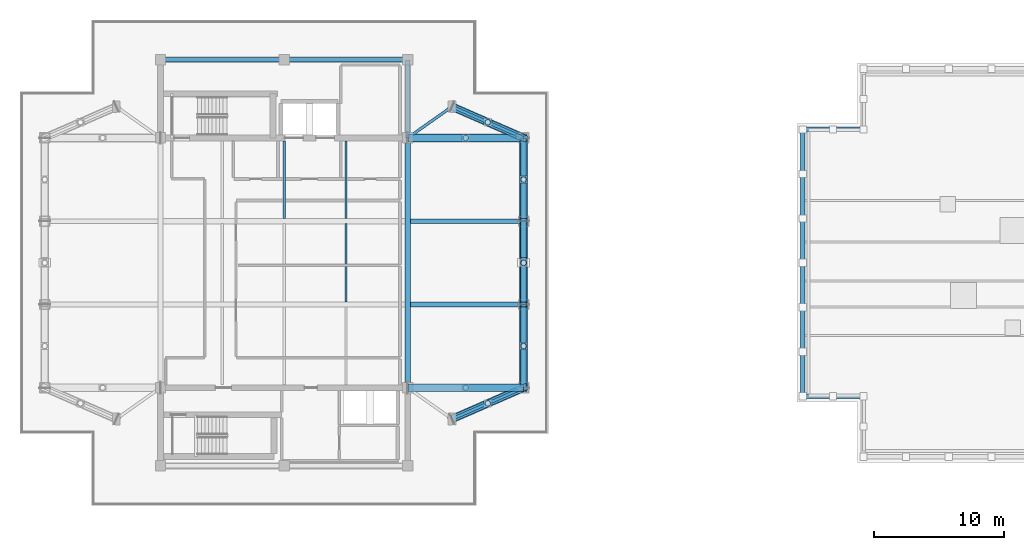
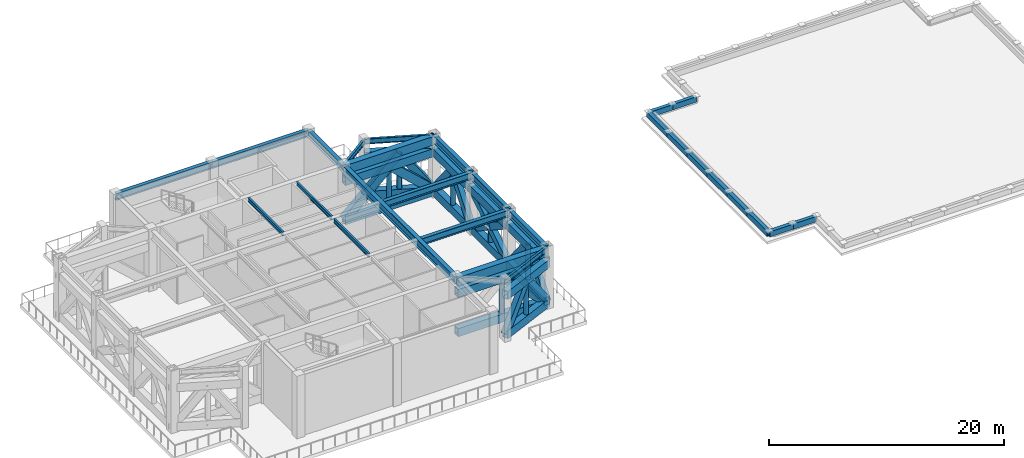
# One storey, part 2 of 11: 45 members, 17 beams.
"""IFC4 building model written with IfcOpenShell, lengths in metres."""

from ifc_helpers import new_model, si_unit, direction, frame, origin, origin_2d, place, context, subcontext, project, spatial, rectangle, hollow_rectangle, hollow_circle, i_section, extrude, material, material_profile, profile_set, type_object, element, save


model = new_model("IFC4")

# Units and contexts
model_context = context("Model", 3, precision=1e-05, world=origin(), true_north=direction((0.0, 1.0)))
body_context = subcontext(model_context, "Body", "Model", "MODEL_VIEW")
ifc_project = project(units=[si_unit("LENGTHUNIT", "METRE"), si_unit("AREAUNIT", "SQUARE_METRE"), si_unit("VOLUMEUNIT", "CUBIC_METRE"), si_unit("PLANEANGLEUNIT", "RADIAN"), si_unit("MASSUNIT", "GRAM", prefix="KILO")], contexts=[model_context])

# Site, building, storey
site_placement = place(None, origin())
site = spatial("IfcSite", under=ifc_project, at=site_placement, CompositionType="ELEMENT")
building_placement = place(site_placement, origin())
building = spatial("IfcBuilding", under=site, at=building_placement, Name="Mirazonda Arch Towers", CompositionType="ELEMENT")
storey_placement = place(building_placement, frame((0.0, 0.0, 212.89990234375)))
storey = spatial("IfcBuildingStorey", under=building, at=storey_placement, Name="L61", CompositionType="ELEMENT", Elevation=212.89990234375)

# Beams
ifc_material_1 = material(Name="Steel ASTM A992 Grade 50", Category="steel")
ifc_material_profile_1 = material_profile(ifc_material_1, i_section(OverallWidth=0.381103515625, OverallDepth=0.77294921875, WebThickness=0.0166015625, FlangeThickness=0.027099609375, at=origin_2d()), Name="W30X173")
ifc_profile_set_1 = profile_set([ifc_material_profile_1], Name="Steel ASTM A992 Grade 50")
beam_type_1 = type_object("IfcBeamType", Name="BM-EXT-W30X173", PredefinedType="USERDEFINED", material=ifc_profile_set_1)
beam_1_placement = place(storey_placement, frame((38.89990234375, 18.39990234375, 5.91357421875), z_axis=(0.0, 1.0, 0.0), x_axis=(-1.0, 0.0, 0.0)))
element("IfcBeam", 1, at=beam_1_placement, inside=storey, type_object=beam_type_1, Name="L61 Floor Beam BM-T1-L61-NS-E-18", ObjectType="GIRDER", PredefinedType="USERDEFINED", context=body_context, shape_type="SweptSolid", body=[
    extrude(i_section(OverallWidth=0.381103515625, OverallDepth=0.77294921875, WebThickness=0.0166015625, FlangeThickness=0.027099609375, at=origin_2d()), origin(), (0.0, 0.0, 1.0), 6.400146484375),
])
beam_2_placement = place(storey_placement, frame((38.89990234375, 24.800048828125, 5.91357421875), z_axis=(0.0, 1.0, 0.0), x_axis=(-1.0, 0.0, 0.0)))
element("IfcBeam", 2, at=beam_2_placement, inside=storey, type_object=beam_type_1, Name="L61 Floor Beam BM-T1-L61-NS-E-24", ObjectType="GIRDER", PredefinedType="USERDEFINED", context=body_context, shape_type="SweptSolid", body=[
    extrude(i_section(OverallWidth=0.381103515625, OverallDepth=0.77294921875, WebThickness=0.0166015625, FlangeThickness=0.027099609375, at=origin_2d()), origin(), (0.0, 0.0, 1.0), 6.39990234375),
])
beam_3_placement = place(storey_placement, frame((38.89990234375, 31.199951171875, 5.91357421875), z_axis=(0.0, 1.0, 0.0), x_axis=(-1.0, 0.0, 0.0)))
element("IfcBeam", 3, at=beam_3_placement, inside=storey, type_object=beam_type_1, Name="L61 Floor Beam BM-T1-L61-NS-E-31", ObjectType="GIRDER", PredefinedType="USERDEFINED", context=body_context, shape_type="SweptSolid", body=[
    extrude(i_section(OverallWidth=0.381103515625, OverallDepth=0.77294921875, WebThickness=0.0166015625, FlangeThickness=0.027099609375, at=origin_2d()), origin(), (0.0, 0.0, 1.0), 6.400146484375),
])
ifc_material_profile_2 = material_profile(ifc_material_1, i_section(OverallWidth=0.180908203125, OverallDepth=0.4169921875, WebThickness=0.010986328125, FlangeThickness=0.018310546875, at=origin_2d()), Name="W16X57")
ifc_profile_set_2 = profile_set([ifc_material_profile_2], Name="Steel ASTM A992 Grade 50")
beam_type_2 = type_object("IfcBeamType", Name="BM-INT-W16X57", PredefinedType="JOIST", material=ifc_profile_set_2)
for number, where, z_axis, x_axis, name in (
    (4, (20.5, 31.39599609375, 6.091552734375), (0.0, 1.0, 0.0), (-1.0, 0.0, 0.0), "L61 Floor Beam BM-T1-L61-J-205-31"),
    (5, (25.25, 31.39599609375, 6.091552734375), (0.0, 1.0, 0.0), (-1.0, 0.0, 0.0), "L61 Floor Beam BM-T1-L61-J-252-31"),
):
    element("IfcBeam", number, at=place(storey_placement, frame(where, z_axis=z_axis, x_axis=x_axis)), inside=storey, type_object=beam_type_2, Name=name, PredefinedType="JOIST", context=body_context, shape_type="SweptSolid", body=[
        extrude(i_section(OverallWidth=0.180908203125, OverallDepth=0.4169921875, WebThickness=0.010986328125, FlangeThickness=0.018310546875, at=origin_2d()), origin(), (0.0, 0.0, 1.0), 5.964111328125),
    ])
beam_4_placement = place(storey_placement, frame((25.25, 24.99609375, 6.091552734375), z_axis=(0.0, 1.0, 0.0), x_axis=(-1.0, 0.0, 0.0)))
element("IfcBeam", 6, at=beam_4_placement, inside=storey, type_object=beam_type_2, Name="L61 Floor Beam BM-T1-L61-J-252-24", PredefinedType="JOIST", context=body_context, shape_type="SweptSolid", body=[
    extrude(i_section(OverallWidth=0.180908203125, OverallDepth=0.4169921875, WebThickness=0.010986328125, FlangeThickness=0.018310546875, at=origin_2d()), origin(), (0.0, 0.0, 1.0), 6.0078125),
])
ifc_material_profile_3 = material_profile(ifc_material_1, i_section(OverallWidth=0.214111328125, OverallDepth=0.549072265625, WebThickness=0.0146484375, FlangeThickness=0.023681640625, at=origin_2d()), Name="W21X93")
ifc_profile_set_3 = profile_set([ifc_material_profile_3], Name="Steel ASTM A992 Grade 50")
beam_type_3 = type_object("IfcBeamType", Name="BM-INT-W21X93", PredefinedType="BEAM", material=ifc_profile_set_3)
beam_5_placement = place(storey_placement, frame((33.39990234375, 16.0, 6.025634765625), z_axis=(0.916545343703, 0.399930785183, 0.0), x_axis=(-0.399930785183, 0.916545343703, 0.0)))
element("IfcBeam", 7, at=beam_5_placement, inside=storey, type_object=beam_type_3, Name="L61 Floor Beam BM-T1-L61-PL-SE2", PredefinedType="BEAM", context=body_context, shape_type="SweptSolid", body=[
    extrude(i_section(OverallWidth=0.214111328125, OverallDepth=0.549072265625, WebThickness=0.0146484375, FlangeThickness=0.023681640625, at=origin_2d()), origin(), (0.0, 0.0, 1.0), 6.000732421875),
])
beam_6_placement = place(storey_placement, frame((33.39990234375, 40.0, 6.025634765625), z_axis=(-0.816971114901, -0.576678591087, 0.0), x_axis=(0.576678591087, -0.816971114901, 0.0)))
element("IfcBeam", 8, at=beam_6_placement, inside=storey, type_object=beam_type_3, Name="L61 Floor Beam BM-T1-L61-PL-NE1", PredefinedType="BEAM", context=body_context, shape_type="SweptSolid", body=[
    extrude(i_section(OverallWidth=0.214111328125, OverallDepth=0.549072265625, WebThickness=0.0146484375, FlangeThickness=0.023681640625, at=origin_2d()), origin(), (0.0, 0.0, 1.0), 4.16162109375),
])
beam_7_placement = place(storey_placement, frame((33.39990234375, 40.0, 6.025634765625), z_axis=(0.916545343703, -0.399930785183, 0.0), x_axis=(0.399930785183, 0.916545343703, 0.0)))
element("IfcBeam", 9, at=beam_7_placement, inside=storey, type_object=beam_type_3, Name="L61 Floor Beam BM-T1-L61-PL-NE2", PredefinedType="BEAM", context=body_context, shape_type="SweptSolid", body=[
    extrude(i_section(OverallWidth=0.214111328125, OverallDepth=0.549072265625, WebThickness=0.0146484375, FlangeThickness=0.023681640625, at=origin_2d()), origin(), (0.0, 0.0, 1.0), 6.000732421875),
])
ifc_material_profile_4 = material_profile(ifc_material_1, i_section(OverallWidth=0.35498046875, OverallDepth=0.696044921875, WebThickness=0.015380859375, FlangeThickness=0.02490234375, at=origin_2d()), Name="W27X146")
ifc_profile_set_4 = profile_set([ifc_material_profile_4], Name="Steel ASTM A992 Grade 50")
beam_type_4 = type_object("IfcBeamType", Name="BM-INT-W27X146", PredefinedType="BEAM", material=ifc_profile_set_4)
for number, where, z_axis, x_axis, name in (
    (10, (30.199951171875, 24.800048828125, 5.9521484375), (1.0, 0.0, 0.0), (0.0, 1.0, 0.0), "L61 Floor Beam BM-T1-L61-GE2"),
    (11, (30.199951171875, 31.199951171875, 5.9521484375), (1.0, 0.0, 0.0), (0.0, 1.0, 0.0), "L61 Floor Beam BM-T1-L61-GE3"),
):
    element("IfcBeam", number, at=place(storey_placement, frame(where, z_axis=z_axis, x_axis=x_axis)), inside=storey, type_object=beam_type_4, Name=name, PredefinedType="BEAM", context=body_context, shape_type="SweptSolid", body=[
        extrude(i_section(OverallWidth=0.35498046875, OverallDepth=0.696044921875, WebThickness=0.015380859375, FlangeThickness=0.02490234375, at=origin_2d()), origin(), (0.0, 0.0, 1.0), 8.699951171875),
    ])
for number, where, z_axis, x_axis, name in (
    (12, (11.0, 43.60009765625, 5.9521484375), (1.0, 0.0, 0.0), (0.0, 1.0, 0.0), "L61 Floor Beam BM-T1-L61-CN1"),
    (13, (20.5, 43.60009765625, 5.9521484375), (1.0, 0.0, 0.0), (0.0, 1.0, 0.0), "L61 Floor Beam BM-T1-L61-CN2"),
):
    element("IfcBeam", number, at=place(storey_placement, frame(where, z_axis=z_axis, x_axis=x_axis)), inside=storey, type_object=beam_type_4, Name=name, PredefinedType="BEAM", context=body_context, shape_type="SweptSolid", body=[
        extrude(i_section(OverallWidth=0.35498046875, OverallDepth=0.696044921875, WebThickness=0.015380859375, FlangeThickness=0.02490234375, at=origin_2d()), origin(), (0.0, 0.0, 1.0), 9.5),
    ])
beam_8_placement = place(storey_placement, frame((30.0, 37.60009765625, 5.9521484375), z_axis=(0.0, 1.0, 0.0), x_axis=(-1.0, 0.0, 0.0)))
element("IfcBeam", 14, at=beam_8_placement, inside=storey, type_object=beam_type_4, Name="L61 Floor Beam BM-T1-L61-CNE", PredefinedType="BEAM", context=body_context, shape_type="SweptSolid", body=[
    extrude(i_section(OverallWidth=0.35498046875, OverallDepth=0.696044921875, WebThickness=0.015380859375, FlangeThickness=0.02490234375, at=origin_2d()), origin(), (0.0, 0.0, 1.0), 6.0),
])
ifc_material_profile_5 = material_profile(ifc_material_1, i_section(OverallWidth=0.39990234375, OverallDepth=0.85595703125, WebThickness=0.018310546875, FlangeThickness=0.029296875, at=origin_2d()), Name="W33X201")
ifc_profile_set_5 = profile_set([ifc_material_profile_5], Name="Steel ASTM A992 Grade 50")
beam_type_5 = type_object("IfcBeamType", Name="BM-INT-W33X201", PredefinedType="USERDEFINED", material=ifc_profile_set_5)
beam_9_placement = place(storey_placement, frame((30.0, 18.39990234375, 5.8720703125), z_axis=(0.0, 1.0, 0.0), x_axis=(-1.0, 0.0, 0.0)))
element("IfcBeam", 15, at=beam_9_placement, inside=storey, type_object=beam_type_5, Name="L61 Floor Beam BM-T1-L61-NS-CE-FULL", ObjectType="GIRDER", PredefinedType="USERDEFINED", context=body_context, shape_type="SweptSolid", body=[
    extrude(i_section(OverallWidth=0.39990234375, OverallDepth=0.85595703125, WebThickness=0.018310546875, FlangeThickness=0.029296875, at=origin_2d()), origin(), (0.0, 0.0, 1.0), 19.2001953125),
])
ifc_material_2 = material(Name="Concrete C50/60", Category="concrete")
ifc_material_profile_6 = material_profile(ifc_material_2, rectangle(XDim=0.60009765625, YDim=0.89990234375, at=origin_2d()), Name="RCCB600x900")
ifc_profile_set_6 = profile_set([ifc_material_profile_6], Name="Concrete C50/60")
beam_type_6 = type_object("IfcBeamType", Name="CB-INT-RCCB600x900", PredefinedType="SPANDREL", material=ifc_profile_set_6)
for number, where, z_axis, x_axis, name in (
    (16, (30.0, 37.60009765625, 5.85009765625), (1.0, 0.0, 0.0), (0.0, 1.0, 0.0), "L61 Floor Beam CB-T1-L61-NE"),
    (17, (30.0, 18.39990234375, 5.85009765625), (1.0, 0.0, 0.0), (0.0, 1.0, 0.0), "L61 Floor Beam CB-T1-L61-SE"),
):
    element("IfcBeam", number, at=place(storey_placement, frame(where, z_axis=z_axis, x_axis=x_axis)), inside=storey, type_object=beam_type_6, Name=name, PredefinedType="SPANDREL", context=body_context, shape_type="SweptSolid", body=[
        extrude(rectangle(XDim=0.60009765625, YDim=0.89990234375, at=origin_2d()), origin(), (0.0, 0.0, 1.0), 8.89990234375),
    ])

# Members
ifc_material_3 = material(Name="Steel ASTM A572 Grade 50", Category="steel")
ifc_material_profile_7 = material_profile(ifc_material_3, hollow_rectangle(XDim=0.60009765625, YDim=0.85009765625, WallThickness=0.048095703125, at=origin_2d()), Name="BELTCHORD850x600x48")
ifc_profile_set_7 = profile_set([ifc_material_profile_7], Name="Steel ASTM A572 Grade 50")
member_type_1 = type_object("IfcMemberType", Name="MBR-EXT-BELTCHORD850x600x48", PredefinedType="CHORD", material=ifc_profile_set_7)
for number, where, z_axis, x_axis, name in (
    (18, (38.89990234375, 18.39990234375, 0.550048828125), (0.0, 1.0, 0.0), (-1.0, 0.0, 0.0), "L61 T1 Wind-Portal Belt Chord BC04"),
    (19, (38.89990234375, 18.39990234375, 4.6201171875), (0.0, 1.0, 0.0), (-1.0, 0.0, 0.0), "L61 T1 Wind-Portal Belt Chord TC04"),
):
    element("IfcMember", number, at=place(storey_placement, frame(where, z_axis=z_axis, x_axis=x_axis)), inside=storey, type_object=member_type_1, Name=name, PredefinedType="CHORD", context=body_context, shape_type="SweptSolid", body=[
        extrude(hollow_rectangle(XDim=0.60009765625, YDim=0.85009765625, WallThickness=0.048095703125, at=origin_2d()), origin(), (0.0, 0.0, 1.0), 6.400146484375),
    ])
for number, where, z_axis, x_axis, name in (
    (20, (38.89990234375, 24.800048828125, 0.550048828125), (0.0, 1.0, 0.0), (-1.0, 0.0, 0.0), "L61 T1 Wind-Portal Belt Chord BC05"),
    (21, (38.89990234375, 24.800048828125, 4.6201171875), (0.0, 1.0, 0.0), (-1.0, 0.0, 0.0), "L61 T1 Wind-Portal Belt Chord TC05"),
):
    element("IfcMember", number, at=place(storey_placement, frame(where, z_axis=z_axis, x_axis=x_axis)), inside=storey, type_object=member_type_1, Name=name, PredefinedType="CHORD", context=body_context, shape_type="SweptSolid", body=[
        extrude(hollow_rectangle(XDim=0.60009765625, YDim=0.85009765625, WallThickness=0.048095703125, at=origin_2d()), origin(), (0.0, 0.0, 1.0), 6.39990234375),
    ])
for number, where, z_axis, x_axis, name in (
    (22, (38.89990234375, 31.199951171875, 0.550048828125), (0.0, 1.0, 0.0), (-1.0, 0.0, 0.0), "L61 T1 Wind-Portal Belt Chord BC06"),
    (23, (38.89990234375, 31.199951171875, 4.6201171875), (0.0, 1.0, 0.0), (-1.0, 0.0, 0.0), "L61 T1 Wind-Portal Belt Chord TC06"),
):
    element("IfcMember", number, at=place(storey_placement, frame(where, z_axis=z_axis, x_axis=x_axis)), inside=storey, type_object=member_type_1, Name=name, PredefinedType="CHORD", context=body_context, shape_type="SweptSolid", body=[
        extrude(hollow_rectangle(XDim=0.60009765625, YDim=0.85009765625, WallThickness=0.048095703125, at=origin_2d()), origin(), (0.0, 0.0, 1.0), 6.400146484375),
    ])
for number, where, z_axis, x_axis, name in (
    (24, (33.39990234375, 16.0, 0.550048828125), (0.916545343703, 0.399930785183, 0.0), (-0.399930785183, 0.916545343703, 0.0), "L61 T1 Wind-Portal Belt Chord BC08"),
    (25, (33.39990234375, 16.0, 4.6201171875), (0.916545343703, 0.399930785183, 0.0), (-0.399930785183, 0.916545343703, 0.0), "L61 T1 Wind-Portal Belt Chord TC08"),
    (26, (33.39990234375, 40.0, 0.550048828125), (0.916545343703, -0.399930785183, 0.0), (0.399930785183, 0.916545343703, 0.0), "L61 T1 Wind-Portal Belt Chord BC10"),
    (27, (33.39990234375, 40.0, 4.6201171875), (0.916545343703, -0.399930785183, 0.0), (0.399930785183, 0.916545343703, 0.0), "L61 T1 Wind-Portal Belt Chord TC10"),
):
    element("IfcMember", number, at=place(storey_placement, frame(where, z_axis=z_axis, x_axis=x_axis)), inside=storey, type_object=member_type_1, Name=name, PredefinedType="CHORD", context=body_context, shape_type="SweptSolid", body=[
        extrude(hollow_rectangle(XDim=0.60009765625, YDim=0.85009765625, WallThickness=0.048095703125, at=origin_2d()), origin(), (0.0, 0.0, 1.0), 6.000732421875),
    ])
ifc_material_profile_8 = material_profile(ifc_material_3, hollow_rectangle(XDim=0.5, YDim=0.699951171875, WallThickness=0.0400390625, at=origin_2d()), Name="BELTDIAG700x500x40")
ifc_profile_set_8 = profile_set([ifc_material_profile_8], Name="Steel ASTM A572 Grade 50")
member_type_2 = type_object("IfcMemberType", Name="MBR-EXT-BELTDIAG700x500x40", PredefinedType="BRACE", material=ifc_profile_set_8)
for number, where, z_axis, x_axis, name in (
    (28, (38.89990234375, 18.39990234375, 0.550048828125), (0.0, 0.618094323558, 0.786103941718), (-1.0, 0.0, 0.0), "L61 T1 Wind-Portal Belt Diagonal 04A"),
    (29, (38.89990234375, 24.800048828125, 0.550048828125), (0.0, -0.618065183041, 0.786126853321), (1.0, 0.0, 0.0), "L61 T1 Wind-Portal Belt Diagonal 04B"),
):
    element("IfcMember", number, at=place(storey_placement, frame(where, z_axis=z_axis, x_axis=x_axis)), inside=storey, type_object=member_type_2, Name=name, PredefinedType="BRACE", context=body_context, shape_type="SweptSolid", body=[
        extrude(hollow_rectangle(XDim=0.5, YDim=0.699951171875, WallThickness=0.0400390625, at=origin_2d()), origin(), (0.0, 0.0, 1.0), 5.177490234375),
    ])
member_placement = place(storey_placement, frame((38.89990234375, 24.800048828125, 0.550048828125), z_axis=(0.0, 0.843816530366, 0.536631776064), x_axis=(-1.0, 0.0, 0.0)))
element("IfcMember", 30, at=member_placement, inside=storey, type_object=member_type_2, Name="L61 T1 Continuous X-Brace Diagonal 05", PredefinedType="BRACE", context=body_context, shape_type="SweptSolid", body=[
    extrude(hollow_rectangle(XDim=0.5, YDim=0.699951171875, WallThickness=0.0400390625, at=origin_2d()), origin(), (0.0, 0.0, 1.0), 7.58447265625),
])
for number, where, z_axis, x_axis, name in (
    (31, (38.89990234375, 31.199951171875, 0.550048828125), (0.0, -0.843813155026, 0.536637083516), (1.0, 0.0, 0.0), "L61 T1 Split X-Brace Lower Segment 05"),
    (32, (38.89990234375, 27.763671875, 2.7353515625), (0.0, -0.843813155026, 0.536637083516), (1.0, 0.0, 0.0), "L61 T1 Split X-Brace Upper Segment 05"),
):
    element("IfcMember", number, at=place(storey_placement, frame(where, z_axis=z_axis, x_axis=x_axis)), inside=storey, type_object=member_type_2, Name=name, PredefinedType="BRACE", context=body_context, shape_type="SweptSolid", body=[
        extrude(hollow_rectangle(XDim=0.5, YDim=0.699951171875, WallThickness=0.0400390625, at=origin_2d()), origin(), (0.0, 0.0, 1.0), 3.51220703125),
    ])
for number, where, z_axis, x_axis, name in (
    (33, (38.89990234375, 31.199951171875, 0.550048828125), (0.0, 0.618065183041, 0.786126853321), (-1.0, 0.0, 0.0), "L61 T1 Wind-Portal Belt Diagonal 06A"),
    (34, (38.89990234375, 37.60009765625, 0.550048828125), (0.0, -0.618094323558, 0.786103941718), (1.0, 0.0, 0.0), "L61 T1 Wind-Portal Belt Diagonal 06B"),
):
    element("IfcMember", number, at=place(storey_placement, frame(where, z_axis=z_axis, x_axis=x_axis)), inside=storey, type_object=member_type_2, Name=name, PredefinedType="BRACE", context=body_context, shape_type="SweptSolid", body=[
        extrude(hollow_rectangle(XDim=0.5, YDim=0.699951171875, WallThickness=0.0400390625, at=origin_2d()), origin(), (0.0, 0.0, 1.0), 5.177490234375),
    ])
for number, where, z_axis, x_axis, name in (
    (35, (33.39990234375, 16.0, 0.550048828125), (0.543858198941, 0.237310284783, 0.804923653635), (-0.399930785183, 0.916545343703, 0.0), "L61 T1 Wind-Portal Belt Diagonal 08A"),
    (36, (38.89990234375, 18.39990234375, 0.550048828125), (-0.543858198941, -0.237310284783, 0.804923653635), (0.399930785183, -0.916545343703, 0.0), "L61 T1 Wind-Portal Belt Diagonal 08B"),
    (37, (33.39990234375, 40.0, 0.550048828125), (0.543858198941, -0.237310284783, 0.804923653635), (0.399930785183, 0.916545343703, 0.0), "L61 T1 Wind-Portal Belt Diagonal 10A"),
    (38, (38.89990234375, 37.60009765625, 0.550048828125), (-0.543858198941, 0.237310284783, 0.804923653635), (-0.399930785183, -0.916545343703, 0.0), "L61 T1 Wind-Portal Belt Diagonal 10B"),
):
    element("IfcMember", number, at=place(storey_placement, frame(where, z_axis=z_axis, x_axis=x_axis)), inside=storey, type_object=member_type_2, Name=name, PredefinedType="BRACE", context=body_context, shape_type="SweptSolid", body=[
        extrude(hollow_rectangle(XDim=0.5, YDim=0.699951171875, WallThickness=0.0400390625, at=origin_2d()), origin(), (0.0, 0.0, 1.0), 5.056396484375),
    ])
ifc_material_profile_9 = material_profile(ifc_material_3, hollow_circle(Radius=0.228515625, WallThickness=0.02197265625, at=origin_2d()), Name="BELTSTRUT457x22CHS")
ifc_profile_set_9 = profile_set([ifc_material_profile_9], Name="Steel ASTM A572 Grade 50")
member_type_3 = type_object("IfcMemberType", Name="MBR-EXT-BELTSTRUT457x22CHS", PredefinedType="STRUT", material=ifc_profile_set_9)
for number, where, z_axis, x_axis, name in (
    (39, (38.89990234375, 21.60009765625, 0.550048828125), (0.0, 0.0, 1.0), (1.0, 0.0, 0.0), "L61 T1 Wind-Portal Belt Strut 04"),
    (40, (38.89990234375, 28.0, 0.550048828125), (0.0, 0.0, 1.0), (1.0, 0.0, 0.0), "L61 T1 Wind-Portal Belt Strut 05"),
    (41, (38.89990234375, 34.39990234375, 0.550048828125), (0.0, 0.0, 1.0), (1.0, 0.0, 0.0), "L61 T1 Wind-Portal Belt Strut 06"),
    (42, (36.14990234375, 17.199951171875, 0.550048828125), (0.0, 0.0, 1.0), (1.0, 0.0, 0.0), "L61 T1 Wind-Portal Belt Strut 08"),
    (43, (36.14990234375, 38.800048828125, 0.550048828125), (0.0, 0.0, 1.0), (1.0, 0.0, 0.0), "L61 T1 Wind-Portal Belt Strut 10"),
):
    element("IfcMember", number, at=place(storey_placement, frame(where, z_axis=z_axis, x_axis=x_axis)), inside=storey, type_object=member_type_3, Name=name, PredefinedType="STRUT", context=body_context, shape_type="SweptSolid", body=[
        extrude(hollow_circle(Radius=0.228515625, WallThickness=0.02197265625, at=origin_2d()), origin(), (0.0, 0.0, 1.0), 4.070068359375),
    ])
ifc_material_profile_10 = material_profile(ifc_material_3, hollow_rectangle(XDim=0.35009765625, YDim=0.550048828125, WallThickness=0.030029296875, at=origin_2d()), Name="CROWNFRAME550x350x30")
ifc_profile_set_10 = profile_set([ifc_material_profile_10], Name="Steel ASTM A572 Grade 50")
member_type_4 = type_object("IfcMemberType", Name="MBR-EXT-CROWNFRAME550x350x30", PredefinedType="USERDEFINED", material=ifc_profile_set_10)
for number, where, z_axis, x_axis, name in (
    (44, (65.01220703125, 38.248779296875, 0.47021484375), (-1.0, 0.0, 0.0), (0.0, -1.0, 0.0), "T2 Ring Crown Cap Beam 3-31"),
    (45, (62.682373046875, 38.248779296875, 0.47021484375), (-1.0, 0.0, 0.0), (0.0, -1.0, 0.0), "T2 Ring Crown Cap Beam 3-32"),
):
    element("IfcMember", number, at=place(storey_placement, frame(where, z_axis=z_axis, x_axis=x_axis)), inside=storey, type_object=member_type_4, Name=name, ObjectType="CROWN FRAME", PredefinedType="USERDEFINED", context=body_context, shape_type="SweptSolid", body=[
        extrude(hollow_rectangle(XDim=0.35009765625, YDim=0.550048828125, WallThickness=0.030029296875, at=origin_2d()), origin(), (0.0, 0.0, 1.0), 2.329833984375),
    ])
for number, where, z_axis, x_axis, name in (
    (46, (60.3525390625, 38.248779296875, 0.47021484375), (0.0, -1.0, 0.0), (1.0, 0.0, 0.0), "T2 Ring Crown Cap Beam 3-33"),
    (47, (60.3525390625, 34.83251953125, 0.47021484375), (0.0, -1.0, 0.0), (1.0, 0.0, 0.0), "T2 Ring Crown Cap Beam 3-34"),
    (48, (60.3525390625, 31.416259765625, 0.47021484375), (0.0, -1.0, 0.0), (1.0, 0.0, 0.0), "T2 Ring Crown Cap Beam 3-35"),
    (49, (60.3525390625, 28.0, 0.47021484375), (0.0, -1.0, 0.0), (1.0, 0.0, 0.0), "T2 Ring Crown Cap Beam 3-36"),
    (50, (60.3525390625, 24.583740234375, 0.47021484375), (0.0, -1.0, 0.0), (1.0, 0.0, 0.0), "T2 Ring Crown Cap Beam 3-37"),
    (51, (60.3525390625, 21.16748046875, 0.47021484375), (0.0, -1.0, 0.0), (1.0, 0.0, 0.0), "T2 Ring Crown Cap Beam 3-38"),
):
    element("IfcMember", number, at=place(storey_placement, frame(where, z_axis=z_axis, x_axis=x_axis)), inside=storey, type_object=member_type_4, Name=name, ObjectType="CROWN FRAME", PredefinedType="USERDEFINED", context=body_context, shape_type="SweptSolid", body=[
        extrude(hollow_rectangle(XDim=0.35009765625, YDim=0.550048828125, WallThickness=0.030029296875, at=origin_2d()), origin(), (0.0, 0.0, 1.0), 3.416259765625),
    ])
for number, where, z_axis, x_axis, name in (
    (52, (60.3525390625, 17.751220703125, 0.47021484375), (1.0, 0.0, 0.0), (0.0, 1.0, 0.0), "T2 Ring Crown Cap Beam 3-39"),
    (53, (62.682373046875, 17.751220703125, 0.47021484375), (1.0, 0.0, 0.0), (0.0, 1.0, 0.0), "T2 Ring Crown Cap Beam 3-40"),
):
    element("IfcMember", number, at=place(storey_placement, frame(where, z_axis=z_axis, x_axis=x_axis)), inside=storey, type_object=member_type_4, Name=name, ObjectType="CROWN FRAME", PredefinedType="USERDEFINED", context=body_context, shape_type="SweptSolid", body=[
        extrude(hollow_rectangle(XDim=0.35009765625, YDim=0.550048828125, WallThickness=0.030029296875, at=origin_2d()), origin(), (0.0, 0.0, 1.0), 2.329833984375),
    ])
ifc_material_profile_11 = material_profile(ifc_material_3, hollow_rectangle(XDim=0.60009765625, YDim=0.85009765625, WallThickness=0.048095703125, at=origin_2d()), Name="BELTCHORD850x600x48")
ifc_profile_set_11 = profile_set([ifc_material_profile_11], Name="Steel ASTM A572 Grade 50")
member_type_5 = type_object("IfcMemberType", Name="MBR-INT-BELTCHORD850x600x48", PredefinedType="CHORD", material=ifc_profile_set_11)
for number, where, z_axis, x_axis, name in (
    (54, (30.0, 18.39990234375, 0.550048828125), (1.0, 0.0, 0.0), (0.0, 1.0, 0.0), "L61 T1 Core Outrigger Chord BC02"),
    (55, (30.0, 18.39990234375, 4.6201171875), (1.0, 0.0, 0.0), (0.0, 1.0, 0.0), "L61 T1 Core Outrigger Chord TC02"),
    (56, (30.0, 37.60009765625, 0.550048828125), (1.0, 0.0, 0.0), (0.0, 1.0, 0.0), "L61 T1 Core Outrigger Chord BC04"),
    (57, (30.0, 37.60009765625, 4.6201171875), (1.0, 0.0, 0.0), (0.0, 1.0, 0.0), "L61 T1 Core Outrigger Chord TC04"),
):
    element("IfcMember", number, at=place(storey_placement, frame(where, z_axis=z_axis, x_axis=x_axis)), inside=storey, type_object=member_type_5, Name=name, PredefinedType="CHORD", context=body_context, shape_type="SweptSolid", body=[
        extrude(hollow_rectangle(XDim=0.60009765625, YDim=0.85009765625, WallThickness=0.048095703125, at=origin_2d()), origin(), (0.0, 0.0, 1.0), 8.89990234375),
    ])
ifc_material_profile_12 = material_profile(ifc_material_3, hollow_circle(Radius=0.228515625, WallThickness=0.02197265625, at=origin_2d()), Name="BELTSTRUT457x22CHS")
ifc_profile_set_12 = profile_set([ifc_material_profile_12], Name="Steel ASTM A572 Grade 50")
member_type_6 = type_object("IfcMemberType", Name="MBR-INT-BELTSTRUT457x22CHS", PredefinedType="STRUT", material=ifc_profile_set_12)
for number, where, z_axis, x_axis, name in (
    (58, (34.449951171875, 18.39990234375, 0.550048828125), (0.0, 0.0, 1.0), (1.0, 0.0, 0.0), "L61 T1 Core Outrigger Strut 02"),
    (59, (34.449951171875, 37.60009765625, 0.550048828125), (0.0, 0.0, 1.0), (1.0, 0.0, 0.0), "L61 T1 Core Outrigger Strut 04"),
):
    element("IfcMember", number, at=place(storey_placement, frame(where, z_axis=z_axis, x_axis=x_axis)), inside=storey, type_object=member_type_6, Name=name, PredefinedType="STRUT", context=body_context, shape_type="SweptSolid", body=[
        extrude(hollow_circle(Radius=0.228515625, WallThickness=0.02197265625, at=origin_2d()), origin(), (0.0, 0.0, 1.0), 4.070068359375),
    ])
ifc_material_profile_13 = material_profile(ifc_material_3, hollow_rectangle(XDim=0.550048828125, YDim=0.800048828125, WallThickness=0.044921875, at=origin_2d()), Name="OUTRIGGER800x550x45")
ifc_profile_set_13 = profile_set([ifc_material_profile_13], Name="Steel ASTM A572 Grade 50")
member_type_7 = type_object("IfcMemberType", Name="MBR-INT-OUTRIGGER800x550x45", PredefinedType="BRACE", material=ifc_profile_set_13)
for number, where, z_axis, x_axis, name in (
    (60, (38.89990234375, 18.39990234375, 0.550048828125), (-0.737901496643, 0.0, 0.674908424345), (0.0, -1.0, 0.0), "L61 T1 Core Outrigger Diagonal 02B"),
    (61, (30.0, 37.60009765625, 0.550048828125), (0.737901496643, 0.0, 0.674908424345), (0.0, 1.0, 0.0), "L61 T1 Core Outrigger Diagonal 04A"),
    (62, (38.89990234375, 37.60009765625, 0.550048828125), (-0.737901496643, 0.0, 0.674908424345), (0.0, -1.0, 0.0), "L61 T1 Core Outrigger Diagonal 04B"),
):
    element("IfcMember", number, at=place(storey_placement, frame(where, z_axis=z_axis, x_axis=x_axis)), inside=storey, type_object=member_type_7, Name=name, PredefinedType="BRACE", context=body_context, shape_type="SweptSolid", body=[
        extrude(hollow_rectangle(XDim=0.550048828125, YDim=0.800048828125, WallThickness=0.044921875, at=origin_2d()), origin(), (0.0, 0.0, 1.0), 6.030517578125),
    ])

save(model, "model.ifc")
